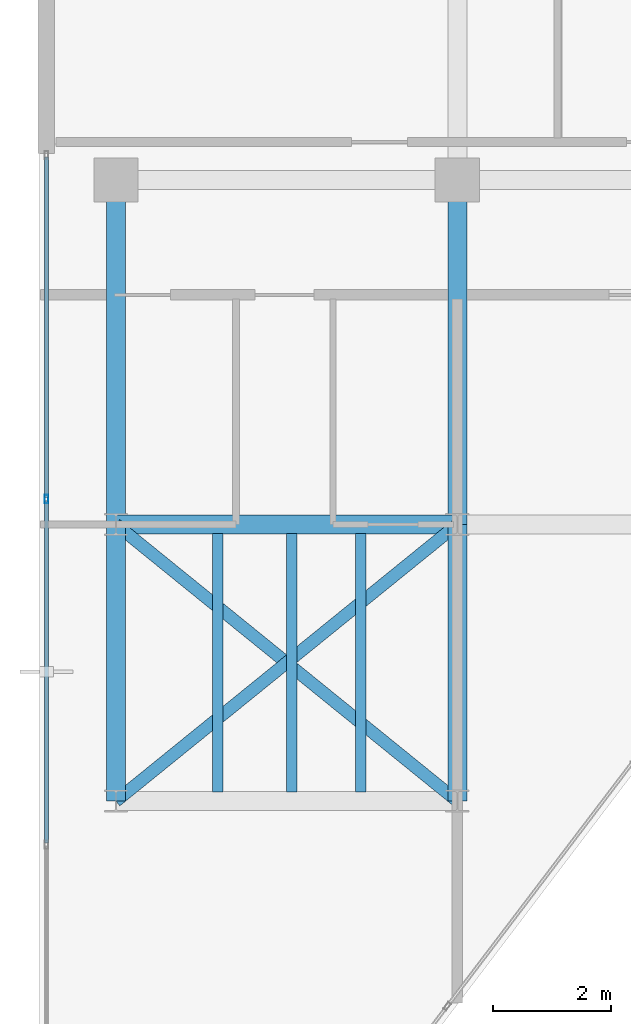
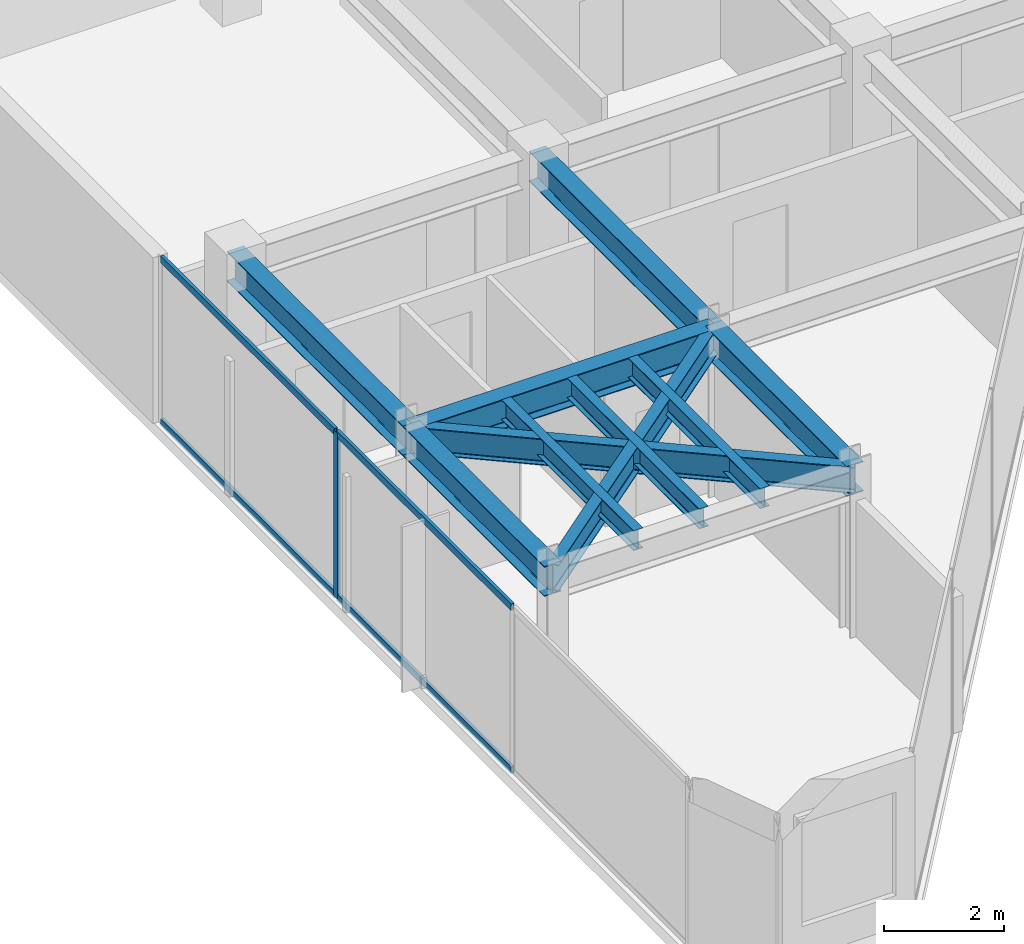
# One storey, part 3 of 17: 10 beams, 5 members, 1 element without a shape of its own.
"""IFC4 building model written with IfcOpenShell, lengths in metres."""

from ifc_helpers import new_model, si_unit, direction, frame, origin, origin_2d, place, context, subcontext, project, spatial, hollow_rectangle, i_section, extrude, material, layer, layer_set, material_profile, profile_set, type_object, element, aggregate, save


model = new_model("IFC4")

# Units and contexts
model_context = context("Model", 3, precision=1e-05, world=origin(), true_north=direction((0.0, 1.0)))
body_context = subcontext(model_context, "Body", "Model", "MODEL_VIEW")
ifc_project = project(units=[si_unit("LENGTHUNIT", "METRE"), si_unit("AREAUNIT", "SQUARE_METRE"), si_unit("VOLUMEUNIT", "CUBIC_METRE"), si_unit("PLANEANGLEUNIT", "RADIAN"), si_unit("MASSUNIT", "GRAM", prefix="KILO")], contexts=[model_context])

# Site, building, storey
site_placement = place(None, origin())
site = spatial("IfcSite", under=ifc_project, at=site_placement, CompositionType="ELEMENT")
building_placement = place(site_placement, origin())
building = spatial("IfcBuilding", under=site, at=building_placement, Name="Kravanh Interchange Tower", CompositionType="ELEMENT")
storey_placement = place(building_placement, frame((0.0, 0.0, 289.5)))
storey = spatial("IfcBuildingStorey", under=building, at=storey_placement, Name="L71", CompositionType="ELEMENT", Elevation=289.5)

# Curtain wall, members
ifc_material_1 = material(Name="Anodised Bronze Aluminium", Category="aluminium")
ifc_layer = layer(ifc_material_1, 0.179931640625)
ifc_layer_set = layer_set([ifc_layer], Name="Unitised Curtain Wall System CW-HTL Luxury Hotel")
curtain_wall_type = type_object("IfcCurtainWallType", Name="Unitised Curtain Wall System CW-HTL Luxury Hotel", PredefinedType="NOTDEFINED", material=ifc_layer_set)
curtain_wall_placement = place(storey_placement, origin())
curtain_wall = element("IfcCurtainWall", 1, at=curtain_wall_placement, inside=storey, type_object=curtain_wall_type, Name="L71 Unitised Curtain Wall CW-L71-01", PredefinedType="NOTDEFINED")
ifc_material_2 = material(Name="Anodised Bronze Aluminium", Category="aluminium")
ifc_material_profile_1 = material_profile(ifc_material_2, hollow_rectangle(XDim=0.06005859375, YDim=0.139892578125, WallThickness=0.00390625, at=origin_2d()), Name="ALU60X140X4")
ifc_profile_set_1 = profile_set([ifc_material_profile_1], Name="Anodised Bronze Aluminium")
member_type_1 = type_object("IfcMemberType", Name="Curtain Wall Mullion ALU60X140X4 Bronze", PredefinedType="MULLION", material=ifc_profile_set_1)
member_1_placement = place(storey_placement, frame((31.6201171875, 31.929931640625, 0.0), z_axis=(0.0, 0.0, 1.0), x_axis=(-1.0, 0.0, 0.0)))
member_1 = element("IfcMember", 2, at=member_1_placement, type_object=member_type_1, Name="CW-HTL mullion 3", PredefinedType="MULLION", context=body_context, shape_type="SweptSolid", body=[
    extrude(hollow_rectangle(XDim=0.06005859375, YDim=0.139892578125, WallThickness=0.00390625, at=origin_2d()), origin(), (0.0, 0.0, 1.0), 3.364990234375),
])
ifc_material_3 = material(Name="Anodised Bronze Aluminium", Category="aluminium")
ifc_material_profile_2 = material_profile(ifc_material_3, hollow_rectangle(XDim=0.06005859375, YDim=0.139892578125, WallThickness=0.00390625, at=origin_2d()), Name="ALU60X140X4")
ifc_profile_set_2 = profile_set([ifc_material_profile_2], Name="Anodised Bronze Aluminium")
member_type_2 = type_object("IfcMemberType", Name="Curtain Wall Transom ALU60X140X4 Bronze", PredefinedType="USERDEFINED", material=ifc_profile_set_2)
member_2_placement = place(storey_placement, frame((31.6201171875, 26.08984375, 0.030029296875), z_axis=(0.0, 1.0, 0.0), x_axis=(-1.0, 0.0, 0.0)))
member_2 = element("IfcMember", 3, at=member_2_placement, type_object=member_type_2, Name="CW-HTL transom 2.1", ObjectType="TRANSOM", PredefinedType="USERDEFINED", context=body_context, shape_type="SweptSolid", body=[
    extrude(hollow_rectangle(XDim=0.06005859375, YDim=0.139892578125, WallThickness=0.00390625, at=origin_2d()), origin(), (0.0, 0.0, 1.0), 5.81005859375),
])
member_3_placement = place(storey_placement, frame((31.6201171875, 26.08984375, 3.3349609375), z_axis=(0.0, 1.0, 0.0), x_axis=(-1.0, 0.0, 0.0)))
member_3 = element("IfcMember", 4, at=member_3_placement, type_object=member_type_2, Name="CW-HTL transom 2.2", ObjectType="TRANSOM", PredefinedType="USERDEFINED", context=body_context, shape_type="SweptSolid", body=[
    extrude(hollow_rectangle(XDim=0.06005859375, YDim=0.139892578125, WallThickness=0.00390625, at=origin_2d()), origin(), (0.0, 0.0, 1.0), 5.81005859375),
])
member_4_placement = place(storey_placement, frame((31.6201171875, 31.9599609375, 0.030029296875), z_axis=(0.0, 1.0, 0.0), x_axis=(-1.0, 0.0, 0.0)))
member_4 = element("IfcMember", 5, at=member_4_placement, type_object=member_type_2, Name="CW-HTL transom 3.1", ObjectType="TRANSOM", PredefinedType="USERDEFINED", context=body_context, shape_type="SweptSolid", body=[
    extrude(hollow_rectangle(XDim=0.06005859375, YDim=0.139892578125, WallThickness=0.00390625, at=origin_2d()), origin(), (0.0, 0.0, 1.0), 5.780029296875),
])
member_5_placement = place(storey_placement, frame((31.6201171875, 31.9599609375, 3.3349609375), z_axis=(0.0, 1.0, 0.0), x_axis=(-1.0, 0.0, 0.0)))
member_5 = element("IfcMember", 6, at=member_5_placement, type_object=member_type_2, Name="CW-HTL transom 3.2", ObjectType="TRANSOM", PredefinedType="USERDEFINED", context=body_context, shape_type="SweptSolid", body=[
    extrude(hollow_rectangle(XDim=0.06005859375, YDim=0.139892578125, WallThickness=0.00390625, at=origin_2d()), origin(), (0.0, 0.0, 1.0), 5.780029296875),
])
aggregate(curtain_wall, [member_1, member_2, member_3, member_4, member_5])

# Beams
ifc_material_4 = material(Name="Structural Steel S355", Category="steel")
ifc_material_profile_3 = material_profile(ifc_material_4, i_section(OverallWidth=0.323974609375, OverallDepth=0.611083984375, WebThickness=0.0126953125, FlangeThickness=0.01904296875, FilletRadius=0.02197265625, at=origin_2d()), Name="W24X104")
ifc_profile_set_3 = profile_set([ifc_material_profile_3], Name="Structural Steel S355")
beam_type_1 = type_object("IfcBeamType", Name="Floor Beam W24X104 Structural Steel S355", PredefinedType="BEAM", material=ifc_profile_set_3)
beam_1_placement = place(storey_placement, frame((38.60009765625, 31.5, 3.0595703125), z_axis=(0.0, -1.0, 0.0), x_axis=(1.0, 0.0, 0.0)))
element("IfcBeam", 7, at=beam_1_placement, inside=storey, type_object=beam_type_1, Name="L71 Primary Floor Girder 17", PredefinedType="BEAM", context=body_context, shape_type="SweptSolid", body=[
    extrude(i_section(OverallWidth=0.323974609375, OverallDepth=0.611083984375, WebThickness=0.0126953125, FlangeThickness=0.01904296875, FilletRadius=0.02197265625, at=origin_2d()), origin(), (0.0, 0.0, 1.0), 4.699951171875),
])
beam_2_placement = place(storey_placement, frame((38.60009765625, 31.5, 3.0595703125), z_axis=(-1.0, 0.0, 0.0), x_axis=(0.0, -1.0, 0.0)))
element("IfcBeam", 8, at=beam_2_placement, inside=storey, type_object=beam_type_1, Name="L71 Primary Floor Girder 18", PredefinedType="BEAM", context=body_context, shape_type="SweptSolid", body=[
    extrude(i_section(OverallWidth=0.323974609375, OverallDepth=0.611083984375, WebThickness=0.0126953125, FlangeThickness=0.01904296875, FilletRadius=0.02197265625, at=origin_2d()), origin(), (0.0, 0.0, 1.0), 5.800048828125),
])
beam_3_placement = place(storey_placement, frame((38.60009765625, 31.5, 3.0595703125), z_axis=(0.0, 1.0, 0.0), x_axis=(-1.0, 0.0, 0.0)))
element("IfcBeam", 9, at=beam_3_placement, inside=storey, type_object=beam_type_1, Name="L71 Primary Floor Girder 19", PredefinedType="BEAM", context=body_context, shape_type="SweptSolid", body=[
    extrude(i_section(OverallWidth=0.323974609375, OverallDepth=0.611083984375, WebThickness=0.0126953125, FlangeThickness=0.01904296875, FilletRadius=0.02197265625, at=origin_2d()), origin(), (0.0, 0.0, 1.0), 5.85009765625),
])
beam_4_placement = place(storey_placement, frame((32.800048828125, 31.5, 3.0595703125), z_axis=(0.0, -1.0, 0.0), x_axis=(1.0, 0.0, 0.0)))
element("IfcBeam", 10, at=beam_4_placement, inside=storey, type_object=beam_type_1, Name="L71 Primary Floor Girder 21", PredefinedType="BEAM", context=body_context, shape_type="SweptSolid", body=[
    extrude(i_section(OverallWidth=0.323974609375, OverallDepth=0.611083984375, WebThickness=0.0126953125, FlangeThickness=0.01904296875, FilletRadius=0.02197265625, at=origin_2d()), origin(), (0.0, 0.0, 1.0), 4.699951171875),
])
beam_5_placement = place(storey_placement, frame((32.800048828125, 31.5, 3.0595703125), z_axis=(0.0, 1.0, 0.0), x_axis=(-1.0, 0.0, 0.0)))
element("IfcBeam", 11, at=beam_5_placement, inside=storey, type_object=beam_type_1, Name="L71 Primary Floor Girder 22", PredefinedType="BEAM", context=body_context, shape_type="SweptSolid", body=[
    extrude(i_section(OverallWidth=0.323974609375, OverallDepth=0.611083984375, WebThickness=0.0126953125, FlangeThickness=0.01904296875, FilletRadius=0.02197265625, at=origin_2d()), origin(), (0.0, 0.0, 1.0), 5.85009765625),
])
ifc_material_5 = material(Name="Structural Steel S355", Category="steel")
ifc_material_profile_4 = material_profile(ifc_material_5, i_section(OverallWidth=0.177978515625, OverallDepth=0.406005859375, WebThickness=0.0078125, FlangeThickness=0.0126953125, FilletRadius=0.01611328125, at=origin_2d()), Name="W16X40")
ifc_profile_set_4 = profile_set([ifc_material_profile_4], Name="Structural Steel S355")
beam_type_2 = type_object("IfcBeamType", Name="Floor Joist W16X40 Structural Steel S355", PredefinedType="JOIST", material=ifc_profile_set_4)
for number, where, z_axis, x_axis, name in (
    (12, (34.530029296875, 26.95703125, 3.162109375), (0.0, 1.0, 0.0), (-1.0, 0.0, 0.0), "L71 Secondary Floor Joist 4"),
    (13, (35.7900390625, 26.95703125, 3.162109375), (0.0, 1.0, 0.0), (-1.0, 0.0, 0.0), "L71 Secondary Floor Joist 5"),
    (14, (36.9599609375, 26.95703125, 3.162109375), (0.0, 1.0, 0.0), (-1.0, 0.0, 0.0), "L71 Secondary Floor Joist 6"),
):
    element("IfcBeam", number, at=place(storey_placement, frame(where, z_axis=z_axis, x_axis=x_axis)), inside=storey, type_object=beam_type_2, Name=name, PredefinedType="JOIST", context=body_context, shape_type="SweptSolid", body=[
        extrude(i_section(OverallWidth=0.177978515625, OverallDepth=0.406005859375, WebThickness=0.0078125, FlangeThickness=0.0126953125, FilletRadius=0.01611328125, at=origin_2d()), origin(), (0.0, 0.0, 1.0), 4.385986328125),
    ])
ifc_material_6 = material(Name="Structural Steel S355", Category="steel")
ifc_material_profile_5 = material_profile(ifc_material_6, i_section(OverallWidth=0.2099609375, OverallDepth=0.537109375, WebThickness=0.010986328125, FlangeThickness=0.017333984375, FilletRadius=0.02001953125, at=origin_2d()), Name="W21X68")
ifc_profile_set_5 = profile_set([ifc_material_profile_5], Name="Structural Steel S355")
beam_type_3 = type_object("IfcBeamType", Name="Floor Spandrel W21X68 Structural Steel S355", PredefinedType="SPANDREL", material=ifc_profile_set_5)
for number, where, z_axis, x_axis, name in (
    (15, (38.60009765625, 31.5, 3.096435546875), (-0.776938619557, -0.629576350764, 0.0), (0.629576350764, -0.776938619557, 0.0), "L71 Perimeter Spandrel 20"),
    (16, (32.800048828125, 31.5, 3.096435546875), (0.776938619557, -0.629576350764, 0.0), (0.629576350764, 0.776938619557, 0.0), "L71 Perimeter Spandrel 23"),
):
    element("IfcBeam", number, at=place(storey_placement, frame(where, z_axis=z_axis, x_axis=x_axis)), inside=storey, type_object=beam_type_3, Name=name, PredefinedType="SPANDREL", context=body_context, shape_type="SweptSolid", body=[
        extrude(i_section(OverallWidth=0.2099609375, OverallDepth=0.537109375, WebThickness=0.010986328125, FlangeThickness=0.017333984375, FilletRadius=0.02001953125, at=origin_2d()), origin(), (0.0, 0.0, 1.0), 7.46533203125),
    ])

save(model, "model.ifc")
